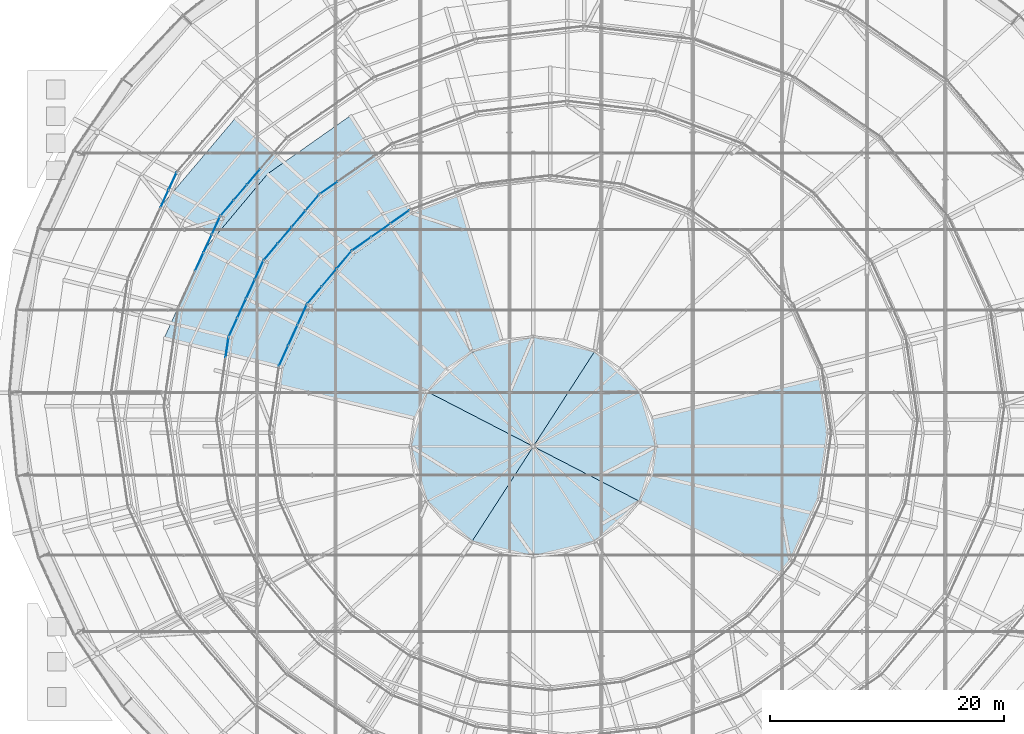
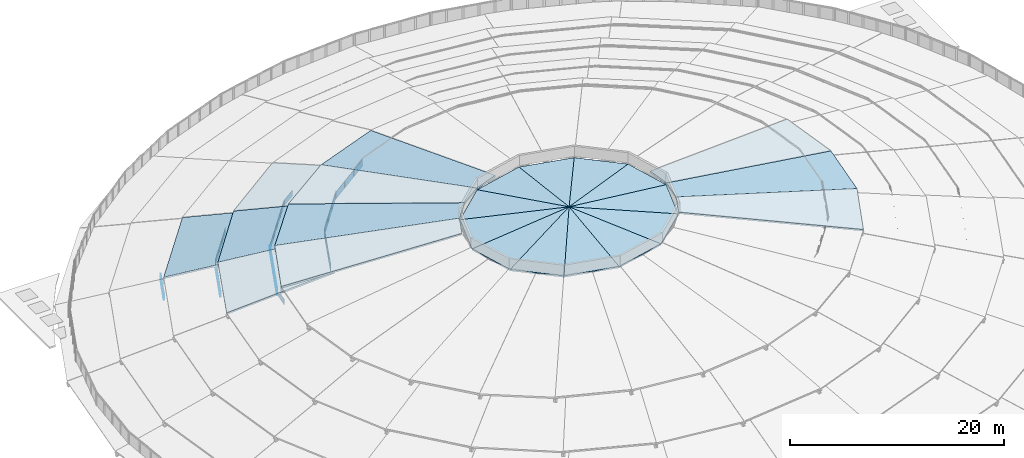
# One storey, part 148 of 173: 27 plates, 23 slabs, 13 elements without a shape of their own.
"""IFC4 building model written with IfcOpenShell, lengths in metres."""

import ifcopenshell
import ifcopenshell.guid

model = None  # the IFC model being written
_history = None  # IfcOwnerHistory: only IFC2X3 demands one
_inside = {}  # id of a spatial element -> (the spatial element, [elements in it])
_under = {}  # id of a project, library or spatial element -> (it, [spatial elements below it])
_declared = {}  # id of a project -> (the project, [libraries it declares])
_typed = {}  # id of a type object -> (the type object, [elements of that type])
_made_of = {}  # id of a material, layer set ... -> (it, [elements and type objects made of it])


def new_model(schema):
    """Start an empty IFC model of exactly this schema.

    Asked for "IFC4X3", IfcOpenShell would pick the latest addendum, in which some entities
    have other attributes; the version numbers below select the first issue.
    IFC2X3 requires an IfcOwnerHistory on every rooted entity: one is made here for all.
    """
    global model, _history
    if schema == "IFC4X3":
        model = ifcopenshell.file(schema_version=(4, 3, 0, 0))
    else:
        model = ifcopenshell.file(schema=schema)
    _inside.clear()
    _under.clear()
    _declared.clear()
    _typed.clear()
    _made_of.clear()
    _history = None
    if model.schema == "IFC2X3":
        org = make("IfcOrganization", Name="unknown")
        user = make(
            "IfcPersonAndOrganization",
            ThePerson=make("IfcPerson", FamilyName="unknown"),
            TheOrganization=org,
        )
        app = make(
            "IfcApplication",
            ApplicationDeveloper=org,
            Version="unknown",
            ApplicationFullName="unknown",
            ApplicationIdentifier="unknown",
        )
        _history = make(
            "IfcOwnerHistory",
            OwningUser=user,
            OwningApplication=app,
            ChangeAction="ADDED",
            CreationDate=0,
        )
    return model


def make(cls, **values):
    """One entity of the class cls with the attributes given. An attribute that is None is left unset."""
    return model.create_entity(
        cls, **{name: value for name, value in values.items() if value is not None}
    )


def rooted(cls, **values):
    """An entity with a GlobalId (a new one), such as an element, a storey or a relation."""
    return make(cls, GlobalId=ifcopenshell.guid.new(), OwnerHistory=_history, **values)


def si_unit(unit_type, name, prefix=None):
    """IfcSIUnit, for example si_unit("LENGTHUNIT", "METRE", prefix="MILLI")."""
    return make("IfcSIUnit", UnitType=unit_type, Prefix=prefix, Name=name)


def assignment(units):
    """IfcUnitAssignment: the units of a project."""
    return None if units is None else make("IfcUnitAssignment", Units=units)


def point(xyz):
    """IfcCartesianPoint."""
    return None if xyz is None else make("IfcCartesianPoint", Coordinates=xyz)


def direction(xyz):
    """IfcDirection."""
    return None if xyz is None else make("IfcDirection", DirectionRatios=xyz)


def frame(location, z_axis=None, x_axis=None):
    """IfcAxis2Placement3D, a coordinate frame: its origin and axes. An axis left out is left unset."""
    return make(
        "IfcAxis2Placement3D",
        Location=point(location),
        Axis=direction(z_axis),
        RefDirection=direction(x_axis),
    )


def frame_2d(location, x_axis=None):
    """IfcAxis2Placement2D, a coordinate frame in the plane: its origin and x axis."""
    return make(
        "IfcAxis2Placement2D", Location=point(location), RefDirection=direction(x_axis)
    )


def origin():
    """The frame at (0, 0, 0) with its axes left unset."""
    return frame((0.0, 0.0, 0.0))


def origin_2d():
    """The frame at (0, 0) in the plane with its x axis left unset."""
    return frame_2d((0.0, 0.0))


def place(relative_to, where):
    """IfcLocalPlacement: puts the frame where relative to a parent placement (None: the world)."""
    return make(
        "IfcLocalPlacement", PlacementRelTo=relative_to, RelativePlacement=where
    )


def context(
    kind, dimensions, precision=None, world=None, true_north=None, identifier=None
):
    """IfcGeometricRepresentationContext, for example the 3D "Model" context."""
    return make(
        "IfcGeometricRepresentationContext",
        ContextIdentifier=identifier,
        ContextType=kind,
        CoordinateSpaceDimension=dimensions,
        Precision=precision,
        WorldCoordinateSystem=world,
        TrueNorth=true_north,
    )


def subcontext(parent, identifier, kind, view, scale=None):
    """IfcGeometricRepresentationSubContext, for example "Body" below "Model"."""
    return make(
        "IfcGeometricRepresentationSubContext",
        ContextIdentifier=identifier,
        ContextType=kind,
        ParentContext=parent,
        TargetScale=scale,
        TargetView=view,
    )


def project(units=None, contexts=None):
    """IfcProject with its units and contexts."""
    return rooted(
        "IfcProject",
        Name="project",
        RepresentationContexts=contexts,
        UnitsInContext=assignment(units),
    )


def spatial(cls, under=None, at=None, **own):
    """A site, building, storey or space (cls), placed at a placement, below another one or the project."""
    s = rooted(cls, ObjectPlacement=at, **own)
    if under is not None:
        _under.setdefault(under.id(), (under, []))[1].append(s)
    return s


def polyline(points):
    """IfcPolyline through the points."""
    return make("IfcPolyline", Points=[point(p) for p in points])


def profile(cls, at=None, kind="AREA", **sizes):
    """A parametric profile (cls). Its sizes go by their IFC names, for example OverallWidth=200.0."""
    return make(cls, ProfileType=kind, Position=at, **sizes)


def rectangle(**sizes):
    """IfcRectangleProfileDef."""
    return profile("IfcRectangleProfileDef", **sizes)


def outline(outer, holes=None, kind="AREA"):
    """IfcArbitraryClosedProfileDef: a profile drawn as a closed curve; with holes, ...WithVoids."""
    if holes is None:
        return make("IfcArbitraryClosedProfileDef", ProfileType=kind, OuterCurve=outer)
    return make(
        "IfcArbitraryProfileDefWithVoids",
        ProfileType=kind,
        OuterCurve=outer,
        InnerCurves=holes,
    )


def extrude(swept, where, along, depth):
    """IfcExtrudedAreaSolid: the profile swept, set in the frame where, extruded along a direction by depth."""
    return make(
        "IfcExtrudedAreaSolid",
        SweptArea=swept,
        Position=where,
        ExtrudedDirection=direction(along),
        Depth=depth,
    )


def shape(context_of_items, identifier, shape_type, items):
    """IfcShapeRepresentation: the items that make up one representation, for example the "Body"."""
    return make(
        "IfcShapeRepresentation",
        ContextOfItems=context_of_items,
        RepresentationIdentifier=identifier,
        RepresentationType=shape_type,
        Items=items,
    )


def material(Name=None, Category=None):
    """IfcMaterial."""
    return make("IfcMaterial", Name=Name, Category=Category)


def layer(
    of_material, thickness, ventilated=None, Name=None, Category=None, Priority=None
):
    """IfcMaterialLayer: one layer of a wall or slab, of a material (None: an air gap)."""
    return make(
        "IfcMaterialLayer",
        Material=of_material,
        LayerThickness=thickness,
        IsVentilated=ventilated,
        Name=Name,
        Category=Category,
        Priority=Priority,
    )


def layer_set(layers, Name=None):
    """IfcMaterialLayerSet."""
    return make("IfcMaterialLayerSet", MaterialLayers=layers, LayerSetName=Name)


def made_of(thing, what):
    """Note that an element or type object is made of a material, layer set ...; save() writes the relation."""
    if what is not None:
        _made_of.setdefault(what.id(), (what, []))[1].append(thing)
    return thing


def type_object(cls, material=None, **own):
    """A type object (cls), such as IfcWallType, which elements share."""
    return made_of(rooted(cls, **own), material)


def element(
    cls,
    number,
    at=None,
    inside=None,
    cuts=None,
    type_object=None,
    material=None,
    context=None,
    identifier="Body",
    shape_type=None,
    held_by="IfcProductDefinitionShape",
    body=None,
    shapes=None,
    **own,
):
    """One element of the class cls, such as IfcWall. Its Tag is "e" and its number.

    at: its placement. inside: the storey or other place that contains it. cuts: it is an
    opening in that element (IfcRelVoidsElement). A single representation is given by context,
    identifier, shape_type and body (its items); several are given by shapes. held_by: the class
    of the entity that holds the representations. save() writes the other relations.
    """
    e = rooted(cls, Tag="e%d" % number, ObjectPlacement=at, **own)
    if body is not None:
        shapes = [shape(context, identifier, shape_type, body)]
    if shapes is not None:
        e.Representation = make(held_by, Representations=shapes)
    if inside is not None:
        _inside.setdefault(inside.id(), (inside, []))[1].append(e)
    if cuts is not None:
        rooted(
            "IfcRelVoidsElement", RelatingBuildingElement=cuts, RelatedOpeningElement=e
        )
    if type_object is not None:
        _typed.setdefault(type_object.id(), (type_object, []))[1].append(e)
    return made_of(e, material)


def aggregate(whole, parts):
    """IfcRelAggregates: a whole, such as a stair, and the parts it consists of."""
    return rooted("IfcRelAggregates", RelatingObject=whole, RelatedObjects=parts)


def save(model, path):
    """Write the relations noted so far, then the file.

    IfcRelAggregates (storeys below a building ...), IfcRelContainedInSpatialStructure (elements
    in a storey), IfcRelDefinesByType, IfcRelAssociatesMaterial and IfcRelDeclares: one each for
    every whole, place, type object, material and project.
    """
    for whole, parts in _under.values():
        aggregate(whole, parts)
    for where, things in _inside.values():
        rooted(
            "IfcRelContainedInSpatialStructure",
            RelatedElements=things,
            RelatingStructure=where,
        )
    for kind, things in _typed.values():
        rooted("IfcRelDefinesByType", RelatedObjects=things, RelatingType=kind)
    for what, things in _made_of.values():
        rooted("IfcRelAssociatesMaterial", RelatedObjects=things, RelatingMaterial=what)
    for by, libraries in _declared.values():
        rooted("IfcRelDeclares", RelatingContext=by, RelatedDefinitions=libraries)
    model.write(path)


model = new_model("IFC4")

# Units and contexts
model_context = context("Model", 3, precision=1e-05, world=origin(), true_north=direction((0.0, 1.0)))
body_context = subcontext(model_context, "Body", "Model", "MODEL_VIEW")
ifc_project = project(units=[si_unit("LENGTHUNIT", "METRE"), si_unit("AREAUNIT", "SQUARE_METRE"), si_unit("VOLUMEUNIT", "CUBIC_METRE"), si_unit("PLANEANGLEUNIT", "RADIAN"), si_unit("MASSUNIT", "GRAM", prefix="KILO")], contexts=[model_context])

# Site, building, storey
site_placement = place(None, origin())
site = spatial("IfcSite", under=ifc_project, at=site_placement, CompositionType="ELEMENT")
building_placement = place(site_placement, origin())
building = spatial("IfcBuilding", under=site, at=building_placement, Name="Glasvene Arena", CompositionType="ELEMENT")
storey_placement = place(building_placement, frame((0.0, 0.0, 28.800048828125)))
storey = spatial("IfcBuildingStorey", under=building, at=storey_placement, Name="RF", CompositionType="ELEMENT", Elevation=28.800048828125)

# Curtain wall, plates
ifc_material_1 = material(Name="Low-emissivity laminated double glazing", Category="glass")
curtain_wall_type_1 = type_object("IfcCurtainWallType", Name="CW-PET1-1001x75", PredefinedType="USERDEFINED", material=ifc_material_1)
curtain_wall_1_placement = place(storey_placement, frame((55.7568359375, 91.85009765625, 0.0)))
curtain_wall_1 = element("IfcCurtainWall", 1, at=curtain_wall_1_placement, inside=storey, type_object=curtain_wall_type_1, Name="Petal ring 1-2 clerestory curtain wall 11", ObjectType="CURTAIN WALL", PredefinedType="USERDEFINED")
ifc_layer_1 = layer(ifc_material_1, 0.028076171875)
ifc_layer_set_1 = layer_set([ifc_layer_1], Name="Low-emissivity laminated double glazing")
plate_type = type_object("IfcPlateType", Name="CW-GLZ-28", PredefinedType="CURTAIN_PANEL", material=ifc_layer_set_1)
plate_1_placement = place(storey_placement, frame((55.403076171875, 91.0810546875, 2.6298828125), z_axis=(0.0, 0.0, 1.0), x_axis=(-0.41776127596, -0.908556831634, 0.0)))
plate_1 = element("IfcPlate", 2, at=plate_1_placement, type_object=plate_type, Name="CW-082 panel 1.1", PredefinedType="CURTAIN_PANEL", context=body_context, shape_type="SweptSolid", body=[
    extrude(rectangle(XDim=1.593017578125, YDim=0.028076171875, at=origin_2d()), origin(), (0.0, 0.0, 1.0), 0.64990234375),
])
plate_2_placement = place(storey_placement, frame((54.711669921875, 89.576904296875, 2.6298828125), z_axis=(0.0, 0.0, 1.0), x_axis=(-0.41776127596, -0.908556831634, 0.0)))
plate_2 = element("IfcPlate", 3, at=plate_2_placement, type_object=plate_type, Name="CW-082 panel 2.1", PredefinedType="CURTAIN_PANEL", context=body_context, shape_type="SweptSolid", body=[
    extrude(rectangle(XDim=1.617919921875, YDim=0.028076171875, at=origin_2d()), origin(), (0.0, 0.0, 1.0), 0.64990234375),
])
aggregate(curtain_wall_1, [plate_1, plate_2])

curtain_wall_type_2 = type_object("IfcCurtainWallType", Name="CW-PET2-882x75", PredefinedType="USERDEFINED", material=ifc_material_1)
curtain_wall_2_placement = place(storey_placement, frame((65.164794921875, 94.795654296875, 0.0)))
curtain_wall_2 = element("IfcCurtainWall", 4, at=curtain_wall_2_placement, inside=storey, type_object=curtain_wall_type_2, Name="Petal ring 2-3 clerestory curtain wall 10", ObjectType="CURTAIN WALL", PredefinedType="USERDEFINED")
plate_3_placement = place(storey_placement, frame((62.312255859375, 91.435302734375, 5.22998046875), z_axis=(0.0, 0.0, 1.0), x_axis=(-0.647166893632, -0.762348353305, 0.0)))
plate_3 = element("IfcPlate", 5, at=plate_3_placement, type_object=plate_type, Name="CW-089 panel 3.1", PredefinedType="CURTAIN_PANEL", context=body_context, shape_type="SweptSolid", body=[
    extrude(rectangle(XDim=1.713134765625, YDim=0.028076171875, at=origin_2d()), origin(), (0.0, 0.0, 1.0), 0.64990234375),
])
plate_4_placement = place(storey_placement, frame((61.171142578125, 90.091064453125, 5.22998046875), z_axis=(0.0, 0.0, 1.0), x_axis=(-0.647166893632, -0.762348353305, 0.0)))
plate_4 = element("IfcPlate", 6, at=plate_4_placement, type_object=plate_type, Name="CW-089 panel 4.1", PredefinedType="CURTAIN_PANEL", context=body_context, shape_type="SweptSolid", body=[
    extrude(rectangle(XDim=1.713134765625, YDim=0.028076171875, at=origin_2d()), origin(), (0.0, 0.0, 1.0), 0.64990234375),
])
plate_5_placement = place(storey_placement, frame((60.038330078125, 88.756591796875, 5.22998046875), z_axis=(0.0, 0.0, 1.0), x_axis=(-0.647166893632, -0.762348353305, 0.0)))
plate_5 = element("IfcPlate", 7, at=plate_5_placement, type_object=plate_type, Name="CW-089 panel 5.1", PredefinedType="CURTAIN_PANEL", context=body_context, shape_type="SweptSolid", body=[
    extrude(rectangle(XDim=1.688232421875, YDim=0.028076171875, at=origin_2d()), origin(), (0.0, 0.0, 1.0), 0.64990234375),
])
aggregate(curtain_wall_2, [plate_3, plate_4, plate_5])

curtain_wall_type_3 = type_object("IfcCurtainWallType", Name="CW-PET2-861x75", PredefinedType="USERDEFINED", material=ifc_material_1)
curtain_wall_3_placement = place(storey_placement, frame((59.459716796875, 88.074951171875, 0.0)))
curtain_wall_3 = element("IfcCurtainWall", 8, at=curtain_wall_3_placement, inside=storey, type_object=curtain_wall_type_3, Name="Petal ring 2-3 clerestory curtain wall 11", ObjectType="CURTAIN WALL", PredefinedType="USERDEFINED")
plate_6_placement = place(storey_placement, frame((59.095947265625, 87.281005859375, 5.22998046875), z_axis=(0.0, 0.0, 1.0), x_axis=(-0.416591913749, -0.909093602111, 0.0)))
plate_6 = element("IfcPlate", 9, at=plate_6_placement, type_object=plate_type, Name="CW-088 panel 1.1", PredefinedType="CURTAIN_PANEL", context=body_context, shape_type="SweptSolid", body=[
    extrude(rectangle(XDim=1.646728515625, YDim=0.028076171875, at=origin_2d()), origin(), (0.0, 0.0, 1.0), 0.64990234375),
])
plate_7_placement = place(storey_placement, frame((58.3837890625, 85.72705078125, 5.22998046875), z_axis=(0.0, 0.0, 1.0), x_axis=(-0.416591913749, -0.909093602111, 0.0)))
plate_7 = element("IfcPlate", 10, at=plate_7_placement, type_object=plate_type, Name="CW-088 panel 2.1", PredefinedType="CURTAIN_PANEL", context=body_context, shape_type="SweptSolid", body=[
    extrude(rectangle(XDim=1.671875, YDim=0.028076171875, at=origin_2d()), origin(), (0.0, 0.0, 1.0), 0.64990234375),
])
plate_8_placement = place(storey_placement, frame((57.66650390625, 84.161865234375, 5.22998046875), z_axis=(0.0, 0.0, 1.0), x_axis=(-0.416591913749, -0.909093602111, 0.0)))
plate_8 = element("IfcPlate", 11, at=plate_8_placement, type_object=plate_type, Name="CW-088 panel 3.1", PredefinedType="CURTAIN_PANEL", context=body_context, shape_type="SweptSolid", body=[
    extrude(rectangle(XDim=1.671875, YDim=0.028076171875, at=origin_2d()), origin(), (0.0, 0.0, 1.0), 0.64990234375),
])
aggregate(curtain_wall_3, [plate_6, plate_7, plate_8])

# Curtain wall, plate
curtain_wall_type_4 = type_object("IfcCurtainWallType", Name="CW-PET3-756x75", PredefinedType="USERDEFINED", material=ifc_material_1)
curtain_wall_4_placement = place(storey_placement, frame((74.125, 94.255859375, 0.0)))
curtain_wall_4 = element("IfcCurtainWall", 12, at=curtain_wall_4_placement, inside=storey, type_object=curtain_wall_type_4, Name="Petal ring 3-4 clerestory curtain wall 09", ObjectType="CURTAIN WALL", PredefinedType="USERDEFINED")
plate_9_placement = place(storey_placement, frame((68.707763671875, 90.480712890625, 7.8798828125), z_axis=(0.0, 0.0, 1.0), x_axis=(-0.82043313701, -0.571742483725, 0.0)))
plate_9 = element("IfcPlate", 13, at=plate_9_placement, type_object=plate_type, Name="CW-096 panel 4.1", PredefinedType="CURTAIN_PANEL", context=body_context, shape_type="SweptSolid", body=[
    extrude(rectangle(XDim=1.815185546875, YDim=0.028076171875, at=origin_2d()), origin(), (0.0, 0.0, 1.0), 0.64990234375),
])
aggregate(curtain_wall_4, [plate_9])

# Curtain wall, plates
curtain_wall_type_5 = type_object("IfcCurtainWallType", Name="CW-PET3-737x75", PredefinedType="USERDEFINED", material=ifc_material_1)
curtain_wall_5_placement = place(storey_placement, frame((67.922119140625, 89.933349609375, 0.0)))
curtain_wall_5 = element("IfcCurtainWall", 14, at=curtain_wall_5_placement, inside=storey, type_object=curtain_wall_type_5, Name="Petal ring 3-4 clerestory curtain wall 10", ObjectType="CURTAIN WALL", PredefinedType="USERDEFINED")
plate_10_placement = place(storey_placement, frame((67.319091796875, 89.219482421875, 7.8798828125), z_axis=(0.0, 0.0, 1.0), x_axis=(-0.645393801566, -0.763850012044, 0.0)))
plate_10 = element("IfcPlate", 15, at=plate_10_placement, type_object=plate_type, Name="CW-095 panel 1.1", PredefinedType="CURTAIN_PANEL", context=body_context, shape_type="SweptSolid", body=[
    extrude(rectangle(XDim=1.768798828125, YDim=0.028076171875, at=origin_2d()), origin(), (0.0, 0.0, 1.0), 0.64990234375),
])
plate_11_placement = place(storey_placement, frame((66.13720703125, 87.82080078125, 7.8798828125), z_axis=(0.0, 0.0, 1.0), x_axis=(-0.645393801566, -0.763850012044, 0.0)))
plate_11 = element("IfcPlate", 16, at=plate_11_placement, type_object=plate_type, Name="CW-095 panel 2.1", PredefinedType="CURTAIN_PANEL", context=body_context, shape_type="SweptSolid", body=[
    extrude(rectangle(XDim=1.793701171875, YDim=0.028076171875, at=origin_2d()), origin(), (0.0, 0.0, 1.0), 0.64990234375),
])
plate_12_placement = place(storey_placement, frame((64.947265625, 86.41259765625, 7.8798828125), z_axis=(0.0, 0.0, 1.0), x_axis=(-0.645393801566, -0.763850012044, 0.0)))
plate_12 = element("IfcPlate", 17, at=plate_12_placement, type_object=plate_type, Name="CW-095 panel 3.1", PredefinedType="CURTAIN_PANEL", context=body_context, shape_type="SweptSolid", body=[
    extrude(rectangle(XDim=1.793701171875, YDim=0.028076171875, at=origin_2d()), origin(), (0.0, 0.0, 1.0), 0.64990234375),
])
plate_13_placement = place(storey_placement, frame((63.765625, 85.013671875, 7.8798828125), z_axis=(0.0, 0.0, 1.0), x_axis=(-0.645393801566, -0.763850012044, 0.0)))
plate_13 = element("IfcPlate", 18, at=plate_13_placement, type_object=plate_type, Name="CW-095 panel 4.1", PredefinedType="CURTAIN_PANEL", context=body_context, shape_type="SweptSolid", body=[
    extrude(rectangle(XDim=1.768798828125, YDim=0.028076171875, at=origin_2d()), origin(), (0.0, 0.0, 1.0), 0.64990234375),
])
aggregate(curtain_wall_5, [plate_10, plate_11, plate_12, plate_13])

curtain_wall_type_6 = type_object("IfcCurtainWallType", Name="CW-PET3-721x75", PredefinedType="USERDEFINED", material=ifc_material_1)
curtain_wall_6_placement = place(storey_placement, frame((63.16259765625, 84.300048828125, 0.0)))
curtain_wall_6 = element("IfcCurtainWall", 19, at=curtain_wall_6_placement, inside=storey, type_object=curtain_wall_type_6, Name="Petal ring 3-4 clerestory curtain wall 11", ObjectType="CURTAIN WALL", PredefinedType="USERDEFINED")
plate_14_placement = place(storey_placement, frame((62.783203125, 83.468505859375, 7.8798828125), z_axis=(0.0, 0.0, 1.0), x_axis=(-0.414967716717, -0.909836135842, 0.0)))
plate_14 = element("IfcPlate", 20, at=plate_14_placement, type_object=plate_type, Name="CW-094 panel 1.1", PredefinedType="CURTAIN_PANEL", context=body_context, shape_type="SweptSolid", body=[
    extrude(rectangle(XDim=1.7275390625, YDim=0.028076171875, at=origin_2d()), origin(), (0.0, 0.0, 1.0), 0.64990234375),
])
plate_15_placement = place(storey_placement, frame((62.04052734375, 81.83984375, 7.8798828125), z_axis=(0.0, 0.0, 1.0), x_axis=(-0.414967716717, -0.909836135842, 0.0)))
plate_15 = element("IfcPlate", 21, at=plate_15_placement, type_object=plate_type, Name="CW-094 panel 2.1", PredefinedType="CURTAIN_PANEL", context=body_context, shape_type="SweptSolid", body=[
    extrude(rectangle(XDim=1.75244140625, YDim=0.028076171875, at=origin_2d()), origin(), (0.0, 0.0, 1.0), 0.64990234375),
])
plate_16_placement = place(storey_placement, frame((61.29248046875, 80.199951171875, 7.8798828125), z_axis=(0.0, 0.0, 1.0), x_axis=(-0.414967716717, -0.909836135842, 0.0)))
plate_16 = element("IfcPlate", 22, at=plate_16_placement, type_object=plate_type, Name="CW-094 panel 3.1", PredefinedType="CURTAIN_PANEL", context=body_context, shape_type="SweptSolid", body=[
    extrude(rectangle(XDim=1.75244140625, YDim=0.028076171875, at=origin_2d()), origin(), (0.0, 0.0, 1.0), 0.64990234375),
])
plate_17_placement = place(storey_placement, frame((60.5498046875, 78.5712890625, 7.8798828125), z_axis=(0.0, 0.0, 1.0), x_axis=(-0.414967716717, -0.909836135842, 0.0)))
plate_17 = element("IfcPlate", 23, at=plate_17_placement, type_object=plate_type, Name="CW-094 panel 4.1", PredefinedType="CURTAIN_PANEL", context=body_context, shape_type="SweptSolid", body=[
    extrude(rectangle(XDim=1.7275390625, YDim=0.028076171875, at=origin_2d()), origin(), (0.0, 0.0, 1.0), 0.64990234375),
])
aggregate(curtain_wall_6, [plate_14, plate_15, plate_16, plate_17])

# Curtain wall, plate
curtain_wall_type_7 = type_object("IfcCurtainWallType", Name="CW-PET3-711x75", PredefinedType="USERDEFINED", material=ifc_material_1)
curtain_wall_7_placement = place(storey_placement, frame((60.17041015625, 77.739990234375, 0.0)))
curtain_wall_7 = element("IfcCurtainWall", 24, at=curtain_wall_7_placement, inside=storey, type_object=curtain_wall_type_7, Name="Petal ring 3-4 clerestory curtain wall 12", ObjectType="CURTAIN WALL", PredefinedType="USERDEFINED")
plate_18_placement = place(storey_placement, frame((60.041259765625, 76.84765625, 7.8798828125), z_axis=(0.0, 0.0, 1.0), x_axis=(-0.143460001758, -0.989656115979, 0.0)))
plate_18 = element("IfcPlate", 25, at=plate_18_placement, type_object=plate_type, Name="CW-093 panel 1.1", PredefinedType="CURTAIN_PANEL", context=body_context, shape_type="SweptSolid", body=[
    extrude(rectangle(XDim=1.703369140625, YDim=0.028076171875, at=origin_2d()), origin(), (0.0, 0.0, 1.0), 0.64990234375),
])
aggregate(curtain_wall_7, [plate_18])

# Curtain wall, plates
curtain_wall_type_8 = type_object("IfcCurtainWallType", Name="CW-PET4-608x92", PredefinedType="USERDEFINED", material=ifc_material_1)
curtain_wall_8_placement = place(storey_placement, frame((75.64990234375, 88.6025390625, 0.0)))
curtain_wall_8 = element("IfcCurtainWall", 26, at=curtain_wall_8_placement, inside=storey, type_object=curtain_wall_type_8, Name="Petal ring 4-5 clerestory curtain wall 09", ObjectType="CURTAIN WALL", PredefinedType="USERDEFINED")
plate_19_placement = place(storey_placement, frame((74.811279296875, 88.0126953125, 10.580078125), z_axis=(0.0, 0.0, 1.0), x_axis=(-0.817924864707, -0.575325052204, 0.0)))
plate_19 = element("IfcPlate", 27, at=plate_19_placement, type_object=plate_type, Name="CW-102 panel 1.1", PredefinedType="CURTAIN_PANEL", context=body_context, shape_type="SweptSolid", body=[
    extrude(rectangle(XDim=1.95068359375, YDim=0.028076171875, at=origin_2d()), origin(), (0.0, 0.0, 1.0), 0.81591796875),
])
plate_20_placement = place(storey_placement, frame((73.164794921875, 86.8544921875, 10.580078125), z_axis=(0.0, 0.0, 1.0), x_axis=(-0.817924864707, -0.575325052204, 0.0)))
plate_20 = element("IfcPlate", 28, at=plate_20_placement, type_object=plate_type, Name="CW-102 panel 2.1", PredefinedType="CURTAIN_PANEL", context=body_context, shape_type="SweptSolid", body=[
    extrude(rectangle(XDim=1.9755859375, YDim=0.028076171875, at=origin_2d()), origin(), (0.0, 0.0, 1.0), 0.81591796875),
])
plate_21_placement = place(storey_placement, frame((71.51806640625, 85.6962890625, 10.580078125), z_axis=(0.0, 0.0, 1.0), x_axis=(-0.817924864707, -0.575325052204, 0.0)))
plate_21 = element("IfcPlate", 29, at=plate_21_placement, type_object=plate_type, Name="CW-102 panel 3.1", PredefinedType="CURTAIN_PANEL", context=body_context, shape_type="SweptSolid", body=[
    extrude(rectangle(XDim=1.95068359375, YDim=0.028076171875, at=origin_2d()), origin(), (0.0, 0.0, 1.0), 0.81591796875),
])
aggregate(curtain_wall_8, [plate_19, plate_20, plate_21])

curtain_wall_type_9 = type_object("IfcCurtainWallType", Name="CW-PET4-594x92", PredefinedType="USERDEFINED", material=ifc_material_1)
curtain_wall_9_placement = place(storey_placement, frame((70.679443359375, 85.106201171875, 0.0)))
curtain_wall_9 = element("IfcCurtainWall", 30, at=curtain_wall_9_placement, inside=storey, type_object=curtain_wall_type_9, Name="Petal ring 4-5 clerestory curtain wall 10", ObjectType="CURTAIN WALL", PredefinedType="USERDEFINED")
plate_22_placement = place(storey_placement, frame((70.03564453125, 84.33740234375, 10.580078125), z_axis=(0.0, 0.0, 1.0), x_axis=(-0.64187958935, -0.766805446496, 0.0)))
plate_22 = element("IfcPlate", 31, at=plate_22_placement, type_object=plate_type, Name="CW-101 panel 1.1", PredefinedType="CURTAIN_PANEL", context=body_context, shape_type="SweptSolid", body=[
    extrude(rectangle(XDim=1.90576171875, YDim=0.028076171875, at=origin_2d()), origin(), (0.0, 0.0, 1.0), 0.81591796875),
])
plate_23_placement = place(storey_placement, frame((68.7724609375, 82.828125, 10.580078125), z_axis=(0.0, 0.0, 1.0), x_axis=(-0.64187958935, -0.766805446496, 0.0)))
plate_23 = element("IfcPlate", 32, at=plate_23_placement, type_object=plate_type, Name="CW-101 panel 2.1", PredefinedType="CURTAIN_PANEL", context=body_context, shape_type="SweptSolid", body=[
    extrude(rectangle(XDim=1.9306640625, YDim=0.028076171875, at=origin_2d()), origin(), (0.0, 0.0, 1.0), 0.81591796875),
])
plate_24_placement = place(storey_placement, frame((67.509033203125, 81.31884765625, 10.580078125), z_axis=(0.0, 0.0, 1.0), x_axis=(-0.64187958935, -0.766805446496, 0.0)))
plate_24 = element("IfcPlate", 33, at=plate_24_placement, type_object=plate_type, Name="CW-101 panel 3.1", PredefinedType="CURTAIN_PANEL", context=body_context, shape_type="SweptSolid", body=[
    extrude(rectangle(XDim=1.90576171875, YDim=0.028076171875, at=origin_2d()), origin(), (0.0, 0.0, 1.0), 0.81591796875),
])
aggregate(curtain_wall_9, [plate_22, plate_23, plate_24])

curtain_wall_type_10 = type_object("IfcCurtainWallType", Name="CW-PET4-582x92", PredefinedType="USERDEFINED", material=ifc_material_1)
curtain_wall_10_placement = place(storey_placement, frame((66.865478515625, 80.550048828125, 0.0)))
curtain_wall_10 = element("IfcCurtainWall", 34, at=curtain_wall_10_placement, inside=storey, type_object=curtain_wall_type_10, Name="Petal ring 4-5 clerestory curtain wall 11", ObjectType="CURTAIN WALL", PredefinedType="USERDEFINED")
plate_25_placement = place(storey_placement, frame((66.460693359375, 79.654296875, 10.580078125), z_axis=(0.0, 0.0, 1.0), x_axis=(-0.411778142566, -0.911284127649, 0.0)))
plate_25 = element("IfcPlate", 35, at=plate_25_placement, type_object=plate_type, Name="CW-100 panel 1.1", PredefinedType="CURTAIN_PANEL", context=body_context, shape_type="SweptSolid", body=[
    extrude(rectangle(XDim=1.865966796875, YDim=0.028076171875, at=origin_2d()), origin(), (0.0, 0.0, 1.0), 0.81591796875),
])
plate_26_placement = place(storey_placement, frame((65.66650390625, 77.89697265625, 10.580078125), z_axis=(0.0, 0.0, 1.0), x_axis=(-0.411778142566, -0.911284127649, 0.0)))
plate_26 = element("IfcPlate", 36, at=plate_26_placement, type_object=plate_type, Name="CW-100 panel 2.1", PredefinedType="CURTAIN_PANEL", context=body_context, shape_type="SweptSolid", body=[
    extrude(rectangle(XDim=1.890869140625, YDim=0.028076171875, at=origin_2d()), origin(), (0.0, 0.0, 1.0), 0.81591796875),
])
plate_27_placement = place(storey_placement, frame((64.87255859375, 76.1396484375, 10.580078125), z_axis=(0.0, 0.0, 1.0), x_axis=(-0.411778142566, -0.911284127649, 0.0)))
plate_27 = element("IfcPlate", 37, at=plate_27_placement, type_object=plate_type, Name="CW-100 panel 3.1", PredefinedType="CURTAIN_PANEL", context=body_context, shape_type="SweptSolid", body=[
    extrude(rectangle(XDim=1.865966796875, YDim=0.028076171875, at=origin_2d()), origin(), (0.0, 0.0, 1.0), 0.81591796875),
])
aggregate(curtain_wall_10, [plate_25, plate_26, plate_27])

# Roof, slab
ifc_material_2 = material(Name="Smooth matte white insulated roof panel")
ifc_layer_2 = layer(ifc_material_2, 0.179931640625)
ifc_layer_set_2 = layer_set([ifc_layer_2], Name="Smooth matte white insulated roof panel")
roof_type = type_object("IfcRoofType", Name="RF-PETAL-ASSY", PredefinedType="PAVILION_ROOF", material=ifc_layer_set_2)
roof_1_placement = place(storey_placement, frame((89.10009765625, 70.699951171875, 5.14990234375)))
roof_1 = element("IfcRoof", 38, at=roof_1_placement, inside=storey, type_object=roof_type, Name="Shifted white elliptical petal roof ring 3", PredefinedType="PAVILION_ROOF")
ifc_material_3 = material(Name="Precast concrete C50/60", Category="concrete")
ifc_layer_3 = layer(ifc_material_3, 0.179931640625)
ifc_layer_set_3 = layer_set([ifc_layer_3], Name="Precast concrete C50/60")
slab_type = type_object("IfcSlabType", Name="SL-PETAL-180", PredefinedType="ROOF", material=ifc_layer_set_3)
slab_1_placement = place(storey_placement, frame((60.7451171875, 96.438720703125, 5.14990234375), z_axis=(-0.191801676867, 0.162133739743, 0.967948742025), x_axis=(-0.645575967203, -0.763696059023, -1.709779e-06)))
slab_1 = element("IfcSlab", 39, at=slab_1_placement, type_object=slab_type, Name="White petal roof slab ring 3 bay 10", PredefinedType="ROOF", context=body_context, shape_type="SweptSolid", body=[
    extrude(outline(polyline([(0.0, 0.0), (9.87149415978164, 8.881784197001252e-16), (7.64024345580586, 10.352909333473628), (0.3538087796810165, 10.352792524702782), (0.0, 0.0)])), origin(), (0.0, 0.0, -1.0), 0.179931640625),
])
aggregate(roof_1, [slab_1])

# Roof, slabs
roof_2_placement = place(storey_placement, frame((87.64990234375, 69.550048828125, 7.800048828125)))
roof_2 = element("IfcRoof", 40, at=roof_2_placement, inside=storey, type_object=roof_type, Name="Shifted white elliptical petal roof ring 4", PredefinedType="PAVILION_ROOF")
slab_2_placement = place(storey_placement, frame((70.574951171875, 96.656494140625, 7.800048828125), z_axis=(-0.149627801081, 0.212752300853, 0.965581679417), x_axis=(-0.817969356047, -0.575261794803, -2.781391e-06)))
slab_2 = element("IfcSlab", 41, at=slab_2_placement, type_object=slab_type, Name="White petal roof slab ring 4 bay 09", PredefinedType="ROOF", context=body_context, shape_type="SweptSolid", body=[
    extrude(outline(polyline([(0.0, 0.0), (8.646717786133822, -8.881784197001252e-16), (6.488064895806901, 10.188082224392176), (0.5000167645350378, 10.187925726890247), (0.0, 0.0)])), origin(), (0.0, 0.0, -1.0), 0.179931640625),
])
slab_3_placement = place(storey_placement, frame((63.502197265625, 91.682373046875, 7.800048828125), z_axis=(-0.195286663384, 0.163495002741, 0.967022493628), x_axis=(-0.641927304824, -0.766765502168, 2.571175e-06)))
slab_3 = element("IfcSlab", 42, at=slab_3_placement, type_object=slab_type, Name="White petal roof slab ring 4 bay 10", PredefinedType="ROOF", context=body_context, shape_type="SweptSolid", body=[
    extrude(outline(polyline([(0.0, 0.0), (8.454238201292638, 0.0), (6.306529410830801, 10.404318588637054), (0.4516087781089408, 10.404463043499296), (0.0, 0.0)])), origin(), (0.0, 0.0, -1.0), 0.179931640625),
])
slab_4_placement = place(storey_placement, frame((58.0751953125, 85.199951171875, 7.800048828125), z_axis=(-0.227712864232, 0.102906982936, 0.968275273012), x_axis=(-0.411823106712, -0.911263808551, -2.075845e-06)))
slab_4 = element("IfcSlab", 43, at=slab_4_placement, type_object=slab_type, Name="White petal roof slab ring 4 bay 11", PredefinedType="ROOF", context=body_context, shape_type="SweptSolid", body=[
    extrude(outline(polyline([(0.0, 0.0), (8.2841807415479, 0.0), (6.377033163787176, 10.604499448286225), (0.6399688571587234, 10.604382971419998), (0.0, 0.0)])), origin(), (0.0, 0.0, -1.0), 0.179931640625),
])
aggregate(roof_2, [slab_2, slab_3, slab_4])

roof_3_placement = place(storey_placement, frame((86.199951171875, 68.39990234375, 10.949951171875)))
roof_3 = element("IfcRoof", 44, at=roof_3_placement, inside=storey, type_object=roof_type, Name="Shifted white elliptical petal roof ring 5", PredefinedType="PAVILION_ROOF")
slab_5_placement = place(storey_placement, frame((114.39990234375, 68.39990234375, 10.949951171875), z_axis=(0.142567607182, 0.020998420172, 0.989562299066), x_axis=(-0.145723043744, 0.989325423974, 1.126476e-06)))
slab_5 = element("IfcSlab", 45, at=slab_5_placement, type_object=slab_type, Name="White petal roof slab ring 5 bay 01", PredefinedType="ROOF", context=body_context, shape_type="SweptSolid", body=[
    extrude(outline(polyline([(0.0, 0.0), (6.592590058249435, 1.1102230246251565e-16), (5.034199289845778, 17.69564245355804), (2.579293631453396, 17.69571317792161), (0.0, 0.0)])), origin(), (0.0, 0.0, -1.0), 0.179931640625),
])
slab_6_placement = place(storey_placement, frame((78.9013671875, 92.7412109375, 10.949951171875), z_axis=(-0.054908994511, 0.148344694308, 0.987410175151), x_axis=(-0.937822918481, -0.347114064201, -2.414133e-06)))
slab_6 = element("IfcSlab", 46, at=slab_6_placement, type_object=slab_type, Name="White petal roof slab ring 5 bay 08", PredefinedType="ROOF", context=body_context, shape_type="SweptSolid", body=[
    extrude(outline(polyline([(0.0, 0.0), (7.252188471439813, 4.440892098500626e-16), (3.7073546365950714, 16.12116496563008), (1.0069261356345653, 16.121013070146603), (0.0, 0.0)])), origin(), (0.0, 0.0, -1.0), 0.179931640625),
])
slab_7_placement = place(storey_placement, frame((72.10009765625, 90.223876953125, 10.949951171875), z_axis=(-0.087398069759, 0.12746118032, 0.987985437602), x_axis=(-0.824734512848, -0.565520099832, 1.675058e-06)))
slab_7 = element("IfcSlab", 47, at=slab_7_placement, type_object=slab_type, Name="White petal roof slab ring 5 bay 09", PredefinedType="ROOF", context=body_context, shape_type="SweptSolid", body=[
    extrude(outline(polyline([(0.0, 0.0), (7.081766471805448, -4.440892098500626e-16), (3.08432469155772, 16.500117559162593), (0.4477178664565863, 16.500222891765574), (0.0, 0.0)])), origin(), (0.0, 0.0, -1.0), 0.179931640625),
])
slab_8_placement = place(storey_placement, frame((66.259521484375, 86.218994140625, 10.949951171875), z_axis=(-0.11397725934, 0.097869623344, 0.988650960238), x_axis=(-0.651463319044, -0.758680132823, -2.67867e-07)))
slab_8 = element("IfcSlab", 48, at=slab_8_placement, type_object=slab_type, Name="White petal roof slab ring 5 bay 10", PredefinedType="ROOF", context=body_context, shape_type="SweptSolid", body=[
    extrude(outline(polyline([(0.0, 0.0), (6.8790444052065, 0.0), (2.892996259494931, 16.974218464635506), (0.3315105068250922, 16.974201631789963), (0.0, 0.0)])), origin(), (0.0, 0.0, -1.0), 0.179931640625),
])
slab_9_placement = place(storey_placement, frame((61.778076171875, 81.0, 10.949951171875), z_axis=(-0.132807821469, 0.061556370828, 0.989228434573), x_axis=(-0.420529680897, -0.907278781568, -8.50825e-07)))
slab_9 = element("IfcSlab", 49, at=slab_9_placement, type_object=slab_type, Name="White petal roof slab ring 5 bay 11", PredefinedType="ROOF", context=body_context, shape_type="SweptSolid", body=[
    extrude(outline(polyline([(0.0, 0.0), (6.699022767336847, 4.440892098500626e-16), (3.2232076843705277, 17.42076499870939), (0.729027377854538, 17.420711563751134), (0.0, 0.0)])), origin(), (0.0, 0.0, -1.0), 0.179931640625),
])
slab_10_placement = place(storey_placement, frame((110.621826171875, 55.800048828125, 10.949951171875), z_axis=(0.132804395239, -0.061564359319, 0.989228397422), x_axis=(0.420573798409, 0.907258331508, 7.36902e-07)))
slab_10 = element("IfcSlab", 50, at=slab_10_placement, type_object=slab_type, Name="White petal roof slab ring 5 bay 23", PredefinedType="ROOF", context=body_context, shape_type="SweptSolid", body=[
    extrude(outline(polyline([(0.0, 0.0), (6.698903939992256, 8.881784197001252e-16), (3.222476418238557, 17.420700162708695), (0.7281934381325506, 17.420746442725783), (0.0, 0.0)])), origin(), (0.0, 0.0, -1.0), 0.179931640625),
])
slab_11_placement = place(storey_placement, frame((113.439208984375, 61.877685546875, 10.949951171875), z_axis=(0.142567398796, -0.020998962236, 0.989562317586), x_axis=(0.145723124529, 0.989325412075, -5.65746e-07)))
slab_11 = element("IfcSlab", 51, at=slab_11_placement, type_object=slab_type, Name="White petal roof slab ring 5 bay 24", PredefinedType="ROOF", context=body_context, shape_type="SweptSolid", body=[
    extrude(outline(polyline([(0.0, 0.0), (6.592590058252629, -1.1102230246251565e-16), (4.013296426794095, 17.69571317792205), (1.5586323029307911, 17.695677659170798), (0.0, 0.0)])), origin(), (0.0, 0.0, -1.0), 0.179931640625),
])
aggregate(roof_3, [slab_5, slab_6, slab_7, slab_8, slab_9, slab_10, slab_11])

# Slabs
slab_12_placement = place(storey_placement, frame((96.64990234375, 68.39990234375, 13.320068359375), z_axis=(0.108380791409, 0.032453676847, 0.993579570499), x_axis=(-0.28685675375, 0.957973487539, 0.0)))
element("IfcSlab", 52, at=slab_12_placement, inside=storey, type_object=slab_type, Name="Crown skylight lantern pitched roof facet 01", PredefinedType="ROOF", context=body_context, shape_type="SweptSolid", body=[
    extrude(outline(polyline([(0.0, 0.0), (4.880144272190083, 0.0), (2.997639070005566, 10.075464981340183), (0.0, 0.0)])), origin(), (0.0, 0.0, -1.0), 0.179931640625),
])
slab_13_placement = place(storey_placement, frame((95.25, 73.074951171875, 13.320068359375), z_axis=(0.079285622177, 0.088612344318, 0.99290565642), x_axis=(-0.745237581306, 0.66679903075, 0.0)))
element("IfcSlab", 53, at=slab_13_placement, inside=storey, type_object=slab_type, Name="Crown skylight lantern pitched roof facet 02", PredefinedType="ROOF", context=body_context, shape_type="SweptSolid", body=[
    extrude(outline(polyline([(0.0, 0.0), (5.132525878753677, 0.0), (3.62711847207625, 9.586596477164738), (0.0, 0.0)])), origin(), (0.0, 0.0, -1.0), 0.179931640625),
])
slab_14_placement = place(storey_placement, frame((91.425048828125, 76.497314453125, 13.320068359375), z_axis=(0.029000741177, 0.120965477037, 0.992232991981), x_axis=(-0.972443777649, 0.233137511593, 0.0)))
element("IfcSlab", 54, at=slab_14_placement, inside=storey, type_object=slab_type, Name="Crown skylight lantern pitched roof facet 03", PredefinedType="ROOF", context=body_context, shape_type="SweptSolid", body=[
    extrude(outline(polyline([(0.0, 0.0), (5.37316169463555, 0.0), (3.1933031939044185, 9.16361818213016), (0.0, 0.0)])), origin(), (0.0, 0.0, -1.0), 0.179931640625),
])
slab_15_placement = place(storey_placement, frame((86.199951171875, 77.75, 13.320068359375), z_axis=(-0.029002095149, 0.120965472283, 0.992232952987), x_axis=(-0.972441307841, -0.233147813211, 0.0)))
element("IfcSlab", 55, at=slab_15_placement, inside=storey, type_object=slab_type, Name="Crown skylight lantern pitched roof facet 04", PredefinedType="ROOF", context=body_context, shape_type="SweptSolid", body=[
    extrude(outline(polyline([(0.0, 0.0), (5.37292428190538, 0.0), (2.179954821864816, 9.163595268545231), (0.0, 0.0)])), origin(), (0.0, 0.0, -1.0), 0.179931640625),
])
slab_16_placement = place(storey_placement, frame((80.97509765625, 76.497314453125, 13.320068359375), z_axis=(-0.079283756348, 0.088615914856, 0.992905486748), x_axis=(-0.74525872962, -0.666775393912, 0.0)))
element("IfcSlab", 56, at=slab_16_placement, inside=storey, type_object=slab_type, Name="Crown skylight lantern pitched roof facet 05", PredefinedType="ROOF", context=body_context, shape_type="SweptSolid", body=[
    extrude(outline(polyline([(0.0, 0.0), (5.132707824104177, 0.0), (1.5052874553900182, 9.586482248202504), (0.0, 0.0)])), origin(), (0.0, 0.0, -1.0), 0.179931640625),
])
slab_17_placement = place(storey_placement, frame((77.14990234375, 73.074951171875, 13.320068359375), z_axis=(-0.108380791409, 0.032453676847, 0.993579570499), x_axis=(-0.28685675375, -0.957973487539, 0.0)))
element("IfcSlab", 57, at=slab_17_placement, inside=storey, type_object=slab_type, Name="Crown skylight lantern pitched roof facet 06", PredefinedType="ROOF", context=body_context, shape_type="SweptSolid", body=[
    extrude(outline(polyline([(0.0, 0.0), (4.880144272190083, 0.0), (1.8825052021845172, 10.075464981340183), (0.0, 0.0)])), origin(), (0.0, 0.0, -1.0), 0.179931640625),
])
slab_18_placement = place(storey_placement, frame((75.75, 68.39990234375, 13.320068359375), z_axis=(-0.108380785447, -0.032455369947, 0.993579515845), x_axis=(0.28687050195, -0.957969370654, 0.0)))
element("IfcSlab", 58, at=slab_18_placement, inside=storey, type_object=slab_type, Name="Crown skylight lantern pitched roof facet 07", PredefinedType="ROOF", context=body_context, shape_type="SweptSolid", body=[
    extrude(outline(polyline([(0.0, 0.0), (4.879910392446639, 2.220446049250313e-16), (2.9977827380240845, 10.075422236305581), (0.0, 0.0)])), origin(), (0.0, 0.0, -1.0), 0.179931640625),
])
slab_19_placement = place(storey_placement, frame((77.14990234375, 63.72509765625, 13.320068359375), z_axis=(-0.079285250477, -0.088617584853, 0.992905218393), x_axis=(0.74525872962, -0.666775393912, 0.0)))
element("IfcSlab", 59, at=slab_19_placement, inside=storey, type_object=slab_type, Name="Crown skylight lantern pitched roof facet 08", PredefinedType="ROOF", context=body_context, shape_type="SweptSolid", body=[
    extrude(outline(polyline([(0.0, 0.0), (5.132707824104177, 0.0), (3.6275831556755636, 9.586301591126896), (0.0, 0.0)])), origin(), (0.0, 0.0, -1.0), 0.179931640625),
])
slab_20_placement = place(storey_placement, frame((80.97509765625, 60.302734375, 13.320068359375), z_axis=(-0.029002840725, -0.12096858202, 0.992232552073), x_axis=(0.972441307841, -0.233147813211, 0.0)))
element("IfcSlab", 60, at=slab_20_placement, inside=storey, type_object=slab_type, Name="Crown skylight lantern pitched roof facet 09", PredefinedType="ROOF", context=body_context, shape_type="SweptSolid", body=[
    extrude(outline(polyline([(0.0, 0.0), (5.37292428190538, 0.0), (3.1930263808933983, 9.163359700157645), (0.0, 0.0)])), origin(), (0.0, 0.0, -1.0), 0.179931640625),
])
slab_21_placement = place(storey_placement, frame((86.199951171875, 59.050048828125, 13.320068359375), z_axis=(0.029001486718, -0.120968586775, 0.99223259107), x_axis=(0.972443777649, 0.233137511593, 0.0)))
element("IfcSlab", 61, at=slab_21_placement, inside=storey, type_object=slab_type, Name="Crown skylight lantern pitched roof facet 10", PredefinedType="ROOF", context=body_context, shape_type="SweptSolid", body=[
    extrude(outline(polyline([(0.0, 0.0), (5.37316169463555, 0.0), (2.179801582393339, 9.163382613135015), (0.0, 0.0)])), origin(), (0.0, 0.0, -1.0), 0.179931640625),
])
slab_22_placement = place(storey_placement, frame((91.425048828125, 60.302734375, 13.320068359375), z_axis=(0.079287116281, -0.08861401418, 0.992905388082), x_axis=(0.745237581306, 0.66679903075, 0.0)))
element("IfcSlab", 62, at=slab_22_placement, inside=storey, type_object=slab_type, Name="Crown skylight lantern pitched roof facet 11", PredefinedType="ROOF", context=body_context, shape_type="SweptSolid", body=[
    extrude(outline(polyline([(0.0, 0.0), (5.132525878753677, 0.0), (1.5052446139453113, 9.58641582518479), (0.0, 0.0)])), origin(), (0.0, 0.0, -1.0), 0.179931640625),
])
slab_23_placement = place(storey_placement, frame((95.25, 63.72509765625, 13.320068359375), z_axis=(0.108380785447, -0.032455369947, 0.993579515845), x_axis=(0.28687050195, 0.957969370654, 0.0)))
element("IfcSlab", 63, at=slab_23_placement, inside=storey, type_object=slab_type, Name="Crown skylight lantern pitched roof facet 12", PredefinedType="ROOF", context=body_context, shape_type="SweptSolid", body=[
    extrude(outline(polyline([(0.0, 0.0), (4.879910392446639, -2.220446049250313e-16), (1.8821276544225554, 10.075422236305581), (0.0, 0.0)])), origin(), (0.0, 0.0, -1.0), 0.179931640625),
])

save(model, "model.ifc")
